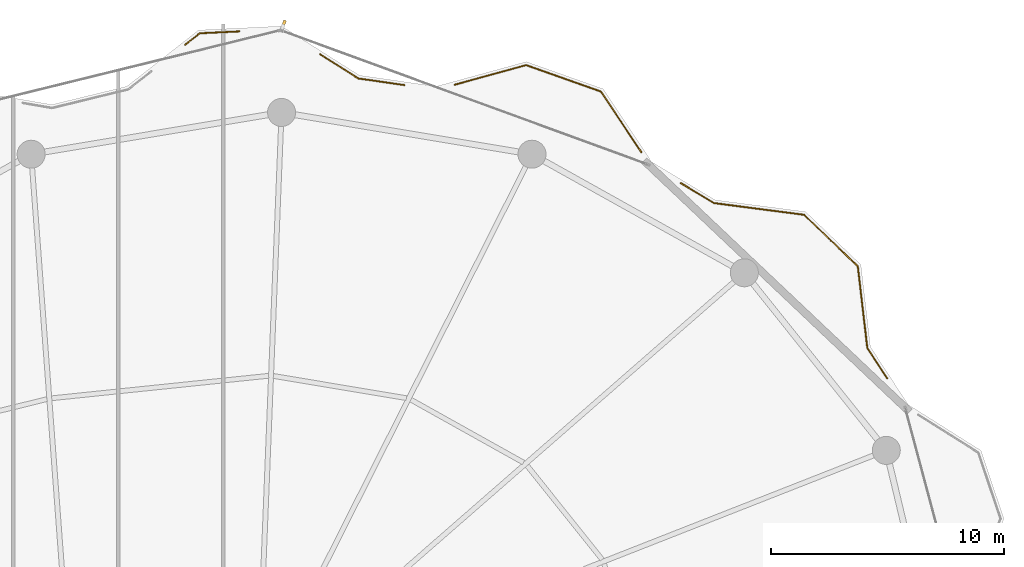
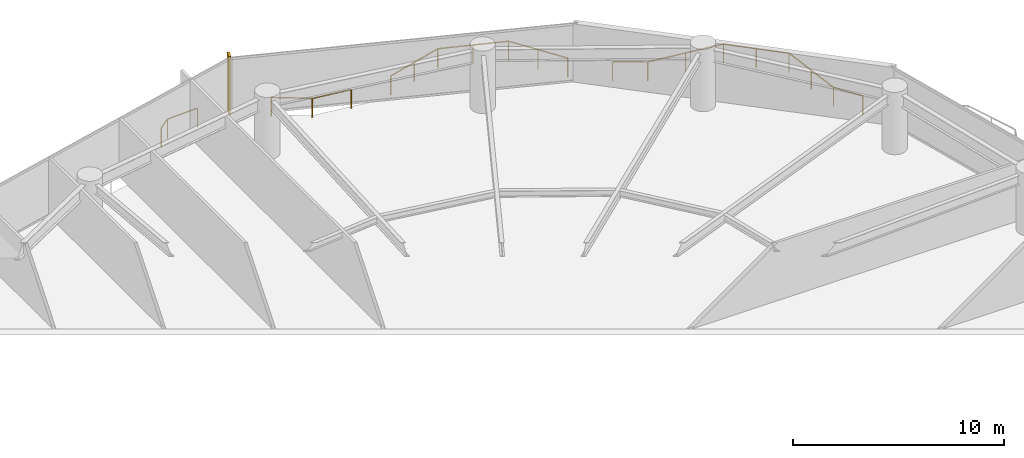
# One storey, part 28 of 28: 4 railings, 1 shading device.
"""IFC4 building model written with IfcOpenShell, lengths in metres."""

from ifc_helpers import new_model, si_unit, direction, frame, origin, origin_2d, place, context, subcontext, project, spatial, rectangle, extrude, material, type_object, element, save


model = new_model("IFC4")

# Units and contexts
model_context = context("Model", 3, precision=1e-05, world=origin(), true_north=direction((0.0, 1.0)))
body_context = subcontext(model_context, "Body", "Model", "MODEL_VIEW")
ifc_project = project(units=[si_unit("LENGTHUNIT", "METRE"), si_unit("AREAUNIT", "SQUARE_METRE"), si_unit("VOLUMEUNIT", "CUBIC_METRE"), si_unit("PLANEANGLEUNIT", "RADIAN"), si_unit("MASSUNIT", "GRAM", prefix="KILO")], contexts=[model_context])

# Site, building, storey
site_placement = place(None, origin())
site = spatial("IfcSite", under=ifc_project, at=site_placement, CompositionType="ELEMENT")
building_placement = place(site_placement, origin())
building = spatial("IfcBuilding", under=site, at=building_placement, Name="Kazevale Care Tower and Concert Hall", CompositionType="ELEMENT")
storey_placement = place(building_placement, frame((0.0, 0.0, 102.60009765625)))
storey = spatial("IfcBuildingStorey", under=building, at=storey_placement, Name="L26", CompositionType="ELEMENT", Elevation=102.60009765625)

# Railings
ifc_material_1 = material(Name="Anodised Bronze Aluminium and Laminated Glass", Category="aluminium")
railing_type = type_object("IfcRailingType", Name="Balcony and Terrace Balustrade 1120", PredefinedType="BALUSTRADE", material=ifc_material_1)
railing_1_placement = place(storey_placement, frame((40.875, 64.35400390625, 0.0)))
element("IfcRailing", 1, at=railing_1_placement, inside=storey, type_object=railing_type, Name="rail:L26:perim:6", PredefinedType="BALUSTRADE", context=body_context, shape_type="SweptSolid", body=[
    extrude(rectangle(XDim=0.048095703125, YDim=0.048095703125, at=origin_2d()), frame((0.0, 0.0, 1.09619140625), z_axis=(0.786296888073, 0.61784885191, 0.0), x_axis=(-0.61784885191, 0.786296888073, 0.0)), (0.0, 0.0, 1.0), 0.789794921875),
    extrude(rectangle(XDim=0.048095703125, YDim=0.048095703125, at=origin_2d()), frame((0.62109375, 0.488037109375, 1.09619140625), z_axis=(0.998846104171, 0.04802562007, 0.0), x_axis=(-0.04802562007, 0.998846104171, 0.0)), (0.0, 0.0, 1.0), 1.687744140625),
    extrude(rectangle(XDim=0.0419921875, YDim=0.0419921875, at=origin_2d()), origin(), (0.0, 0.0, 1.0), 1.072021484375),
    extrude(rectangle(XDim=0.0419921875, YDim=0.0419921875, at=origin_2d()), frame((0.62109375, 0.488037109375, 0.0)), (0.0, 0.0, 1.0), 1.072021484375),
    extrude(rectangle(XDim=0.0419921875, YDim=0.0419921875, at=origin_2d()), frame((2.306884765625, 0.569091796875, 0.0)), (0.0, 0.0, 1.0), 1.072021484375),
])
railing_2_placement = place(storey_placement, frame((46.64794921875, 63.943115234375, 0.0)))
element("IfcRailing", 2, at=railing_2_placement, inside=storey, type_object=railing_type, Name="rail:L26:perim:7", PredefinedType="BALUSTRADE", context=body_context, shape_type="SweptSolid", body=[
    extrude(rectangle(XDim=0.048095703125, YDim=0.048095703125, at=origin_2d()), frame((0.0, 0.0, 1.09619140625), z_axis=(0.845285408951, -0.534315054452, 0.0), x_axis=(0.534315054452, 0.845285408951, 0.0)), (0.0, 0.0, 1.0), 1.939208984375),
    extrude(rectangle(XDim=0.048095703125, YDim=0.048095703125, at=origin_2d()), frame((1.63916015625, -1.0361328125, 1.09619140625), z_axis=(0.989851165492, -0.142107952534, 0.0), x_axis=(0.142107952534, 0.989851165492, 0.0)), (0.0, 0.0, 1.0), 1.9912109375),
    extrude(rectangle(XDim=0.0419921875, YDim=0.0419921875, at=origin_2d()), origin(), (0.0, 0.0, 1.0), 1.072021484375),
    extrude(rectangle(XDim=0.0419921875, YDim=0.0419921875, at=origin_2d()), frame((1.63916015625, -1.0361328125, 0.0)), (0.0, 0.0, 1.0), 1.072021484375),
    extrude(rectangle(XDim=0.0419921875, YDim=0.0419921875, at=origin_2d()), frame((3.610107421875, -1.319091796875, 0.0)), (0.0, 0.0, 1.0), 1.072021484375),
])
railing_3_placement = place(storey_placement, frame((52.426025390625, 62.64111328125, 0.0)))
element("IfcRailing", 3, at=railing_3_placement, inside=storey, type_object=railing_type, Name="rail:L26:perim:8", PredefinedType="BALUSTRADE", context=body_context, shape_type="SweptSolid", body=[
    extrude(rectangle(XDim=0.048095703125, YDim=0.048095703125, at=origin_2d()), frame((0.0, 0.0, 1.09619140625), z_axis=(0.964305315259, 0.264792860484, 0.0), x_axis=(-0.264792860484, 0.964305315259, 0.0)), (0.0, 0.0, 1.0), 3.16796875),
    extrude(rectangle(XDim=0.048095703125, YDim=0.048095703125, at=origin_2d()), frame((3.054931640625, 0.8388671875, 1.09619140625), z_axis=(0.942606504608, -0.333905641567, 0.0), x_axis=(0.333905641567, 0.942606504608, 0.0)), (0.0, 0.0, 1.0), 3.399169921875),
    extrude(rectangle(XDim=0.048095703125, YDim=0.048095703125, at=origin_2d()), frame((6.259033203125, -0.296142578125, 1.09619140625), z_axis=(0.554087210484, -0.832458625505, 0.0), x_axis=(0.832458625505, 0.554087210484, 0.0)), (0.0, 0.0, 1.0), 3.125732421875),
    extrude(rectangle(XDim=0.0419921875, YDim=0.0419921875, at=origin_2d()), origin(), (0.0, 0.0, 1.0), 1.072021484375),
    extrude(rectangle(XDim=0.0419921875, YDim=0.0419921875, at=origin_2d()), frame((1.52734375, 0.41943359375, 0.0)), (0.0, 0.0, 1.0), 1.072021484375),
    extrude(rectangle(XDim=0.0419921875, YDim=0.0419921875, at=origin_2d()), frame((3.054931640625, 0.8388671875, 0.0)), (0.0, 0.0, 1.0), 1.072021484375),
    extrude(rectangle(XDim=0.0419921875, YDim=0.0419921875, at=origin_2d()), frame((4.656982421875, 0.271484375, 0.0)), (0.0, 0.0, 1.0), 1.072021484375),
    extrude(rectangle(XDim=0.0419921875, YDim=0.0419921875, at=origin_2d()), frame((6.259033203125, -0.296142578125, 0.0)), (0.0, 0.0, 1.0), 1.072021484375),
    extrude(rectangle(XDim=0.0419921875, YDim=0.0419921875, at=origin_2d()), frame((7.125, -1.59716796875, 0.0)), (0.0, 0.0, 1.0), 1.072021484375),
    extrude(rectangle(XDim=0.0419921875, YDim=0.0419921875, at=origin_2d()), frame((7.990966796875, -2.898193359375, 0.0)), (0.0, 0.0, 1.0), 1.072021484375),
])
railing_4_placement = place(storey_placement, frame((62.10400390625, 58.425048828125, 0.0)))
element("IfcRailing", 4, at=railing_4_placement, inside=storey, type_object=railing_type, Name="rail:L26:perim:9", PredefinedType="BALUSTRADE", context=body_context, shape_type="SweptSolid", body=[
    extrude(rectangle(XDim=0.048095703125, YDim=0.048095703125, at=origin_2d()), frame((0.0, 0.0, 1.09619140625), z_axis=(0.857286075964, -0.514840348029, 0.0), x_axis=(0.514840348029, 0.857286075964, 0.0)), (0.0, 0.0, 1.0), 1.666748046875),
    extrude(rectangle(XDim=0.048095703125, YDim=0.048095703125, at=origin_2d()), frame((1.428955078125, -0.858154296875, 1.09619140625), z_axis=(0.991624912909, -0.12915119859, 0.0), x_axis=(0.12915119859, 0.991624912909, 0.0)), (0.0, 0.0, 1.0), 3.886474609375),
    extrude(rectangle(XDim=0.048095703125, YDim=0.048095703125, at=origin_2d()), frame((5.282958984375, -1.360107421875, 1.09619140625), z_axis=(0.722483817146, -0.691387831801, 0.0), x_axis=(0.691387831801, 0.722483817146, 0.0)), (0.0, 0.0, 1.0), 3.1875),
    extrude(rectangle(XDim=0.048095703125, YDim=0.048095703125, at=origin_2d()), frame((7.5859375, -3.56396484375, 1.09619140625), z_axis=(0.115399198522, -0.993319195919, 0.0), x_axis=(0.993319195919, 0.115399198522, 0.0)), (0.0, 0.0, 1.0), 3.52685546875),
    extrude(rectangle(XDim=0.048095703125, YDim=0.048095703125, at=origin_2d()), frame((7.992919921875, -7.067138671875, 1.09619140625), z_axis=(0.547143637921, -0.837038732367, 0.0), x_axis=(0.837038732367, 0.547143637921, 0.0)), (0.0, 0.0, 1.0), 1.555419921875),
    extrude(rectangle(XDim=0.0419921875, YDim=0.0419921875, at=origin_2d()), origin(), (0.0, 0.0, 1.0), 1.072021484375),
    extrude(rectangle(XDim=0.0419921875, YDim=0.0419921875, at=origin_2d()), frame((1.428955078125, -0.858154296875, 0.0)), (0.0, 0.0, 1.0), 1.072021484375),
    extrude(rectangle(XDim=0.0419921875, YDim=0.0419921875, at=origin_2d()), frame((3.35595703125, -1.109130859375, 0.0)), (0.0, 0.0, 1.0), 1.072021484375),
    extrude(rectangle(XDim=0.0419921875, YDim=0.0419921875, at=origin_2d()), frame((5.282958984375, -1.360107421875, 0.0)), (0.0, 0.0, 1.0), 1.072021484375),
    extrude(rectangle(XDim=0.0419921875, YDim=0.0419921875, at=origin_2d()), frame((6.4345703125, -2.4619140625, 0.0)), (0.0, 0.0, 1.0), 1.072021484375),
    extrude(rectangle(XDim=0.0419921875, YDim=0.0419921875, at=origin_2d()), frame((7.5859375, -3.56396484375, 0.0)), (0.0, 0.0, 1.0), 1.072021484375),
    extrude(rectangle(XDim=0.0419921875, YDim=0.0419921875, at=origin_2d()), frame((7.78955078125, -5.3154296875, 0.0)), (0.0, 0.0, 1.0), 1.072021484375),
    extrude(rectangle(XDim=0.0419921875, YDim=0.0419921875, at=origin_2d()), frame((7.992919921875, -7.067138671875, 0.0)), (0.0, 0.0, 1.0), 1.072021484375),
    extrude(rectangle(XDim=0.0419921875, YDim=0.0419921875, at=origin_2d()), frame((8.843994140625, -8.369140625, 0.0)), (0.0, 0.0, 1.0), 1.072021484375),
])

# Shading device
ifc_material_2 = material(Name="Honed Ochre Limestone", Category="masonry")
shading_device_type = type_object("IfcShadingDeviceType", Name="Vertical Honed Limestone Fin FIN-01", PredefinedType="USERDEFINED", material=ifc_material_2)
shading_device_placement = place(storey_placement, frame((45.084228515625, 65.21240234375, 0.0), z_axis=(0.0, 0.0, 1.0), x_axis=(0.343167938899, 0.939274063153, 0.0)))
element("IfcShadingDevice", 5, at=shading_device_placement, inside=storey, type_object=shading_device_type, Name="cw:L26:f16:fin", ObjectType="FIN", PredefinedType="USERDEFINED", context=body_context, shape_type="SweptSolid", body=[
    extrude(rectangle(XDim=0.3798828125, YDim=0.1201171875, at=origin_2d()), origin(), (0.0, 0.0, 1.0), 3.360107421875),
])

save(model, "model.ifc")
